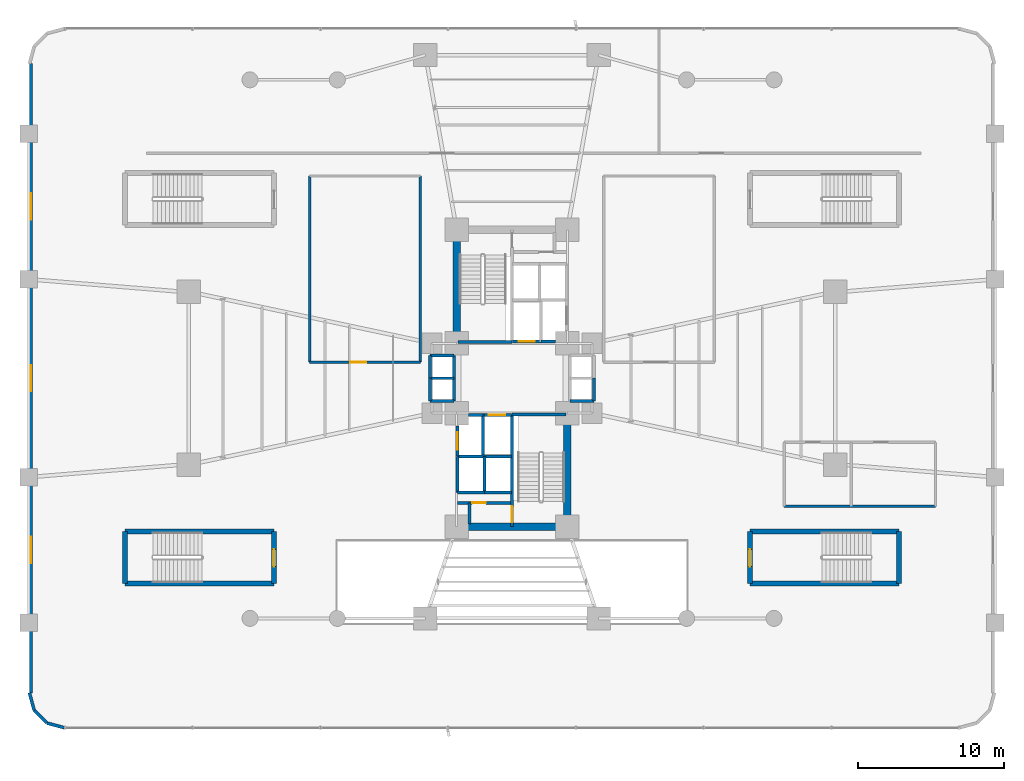
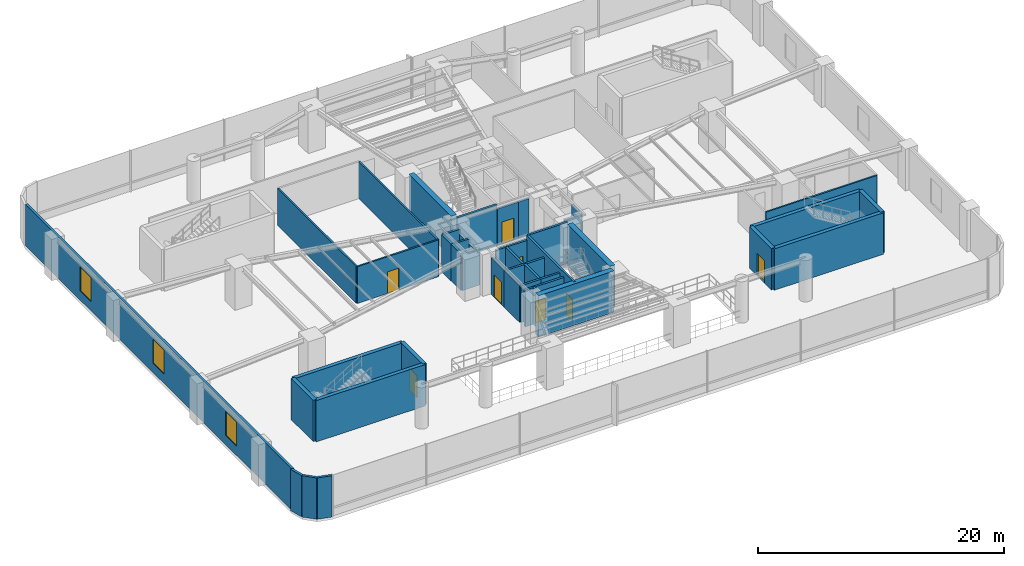
# One storey, part 16 of 23: 43 walls, 8 doors, 3 windows, 11 openings.
"""IFC4 building model written with IfcOpenShell, lengths in metres."""

import ifcopenshell
import ifcopenshell.guid

model = None  # the IFC model being written
_history = None  # IfcOwnerHistory: only IFC2X3 demands one
_inside = {}  # id of a spatial element -> (the spatial element, [elements in it])
_under = {}  # id of a project, library or spatial element -> (it, [spatial elements below it])
_declared = {}  # id of a project -> (the project, [libraries it declares])
_typed = {}  # id of a type object -> (the type object, [elements of that type])
_made_of = {}  # id of a material, layer set ... -> (it, [elements and type objects made of it])


def new_model(schema):
    """Start an empty IFC model of exactly this schema.

    Asked for "IFC4X3", IfcOpenShell would pick the latest addendum, in which some entities
    have other attributes; the version numbers below select the first issue.
    IFC2X3 requires an IfcOwnerHistory on every rooted entity: one is made here for all.
    """
    global model, _history
    if schema == "IFC4X3":
        model = ifcopenshell.file(schema_version=(4, 3, 0, 0))
    else:
        model = ifcopenshell.file(schema=schema)
    _inside.clear()
    _under.clear()
    _declared.clear()
    _typed.clear()
    _made_of.clear()
    _history = None
    if model.schema == "IFC2X3":
        org = make("IfcOrganization", Name="unknown")
        user = make(
            "IfcPersonAndOrganization",
            ThePerson=make("IfcPerson", FamilyName="unknown"),
            TheOrganization=org,
        )
        app = make(
            "IfcApplication",
            ApplicationDeveloper=org,
            Version="unknown",
            ApplicationFullName="unknown",
            ApplicationIdentifier="unknown",
        )
        _history = make(
            "IfcOwnerHistory",
            OwningUser=user,
            OwningApplication=app,
            ChangeAction="ADDED",
            CreationDate=0,
        )
    return model


def make(cls, **values):
    """One entity of the class cls with the attributes given. An attribute that is None is left unset."""
    return model.create_entity(
        cls, **{name: value for name, value in values.items() if value is not None}
    )


def rooted(cls, **values):
    """An entity with a GlobalId (a new one), such as an element, a storey or a relation."""
    return make(cls, GlobalId=ifcopenshell.guid.new(), OwnerHistory=_history, **values)


def si_unit(unit_type, name, prefix=None):
    """IfcSIUnit, for example si_unit("LENGTHUNIT", "METRE", prefix="MILLI")."""
    return make("IfcSIUnit", UnitType=unit_type, Prefix=prefix, Name=name)


def assignment(units):
    """IfcUnitAssignment: the units of a project."""
    return None if units is None else make("IfcUnitAssignment", Units=units)


def point(xyz):
    """IfcCartesianPoint."""
    return None if xyz is None else make("IfcCartesianPoint", Coordinates=xyz)


def direction(xyz):
    """IfcDirection."""
    return None if xyz is None else make("IfcDirection", DirectionRatios=xyz)


def frame(location, z_axis=None, x_axis=None):
    """IfcAxis2Placement3D, a coordinate frame: its origin and axes. An axis left out is left unset."""
    return make(
        "IfcAxis2Placement3D",
        Location=point(location),
        Axis=direction(z_axis),
        RefDirection=direction(x_axis),
    )


def frame_2d(location, x_axis=None):
    """IfcAxis2Placement2D, a coordinate frame in the plane: its origin and x axis."""
    return make(
        "IfcAxis2Placement2D", Location=point(location), RefDirection=direction(x_axis)
    )


def origin():
    """The frame at (0, 0, 0) with its axes left unset."""
    return frame((0.0, 0.0, 0.0))


def origin_2d():
    """The frame at (0, 0) in the plane with its x axis left unset."""
    return frame_2d((0.0, 0.0))


def place(relative_to, where):
    """IfcLocalPlacement: puts the frame where relative to a parent placement (None: the world)."""
    return make(
        "IfcLocalPlacement", PlacementRelTo=relative_to, RelativePlacement=where
    )


def context(
    kind, dimensions, precision=None, world=None, true_north=None, identifier=None
):
    """IfcGeometricRepresentationContext, for example the 3D "Model" context."""
    return make(
        "IfcGeometricRepresentationContext",
        ContextIdentifier=identifier,
        ContextType=kind,
        CoordinateSpaceDimension=dimensions,
        Precision=precision,
        WorldCoordinateSystem=world,
        TrueNorth=true_north,
    )


def subcontext(parent, identifier, kind, view, scale=None):
    """IfcGeometricRepresentationSubContext, for example "Body" below "Model"."""
    return make(
        "IfcGeometricRepresentationSubContext",
        ContextIdentifier=identifier,
        ContextType=kind,
        ParentContext=parent,
        TargetScale=scale,
        TargetView=view,
    )


def project(units=None, contexts=None):
    """IfcProject with its units and contexts."""
    return rooted(
        "IfcProject",
        Name="project",
        RepresentationContexts=contexts,
        UnitsInContext=assignment(units),
    )


def spatial(cls, under=None, at=None, **own):
    """A site, building, storey or space (cls), placed at a placement, below another one or the project."""
    s = rooted(cls, ObjectPlacement=at, **own)
    if under is not None:
        _under.setdefault(under.id(), (under, []))[1].append(s)
    return s


def profile(cls, at=None, kind="AREA", **sizes):
    """A parametric profile (cls). Its sizes go by their IFC names, for example OverallWidth=200.0."""
    return make(cls, ProfileType=kind, Position=at, **sizes)


def rectangle(**sizes):
    """IfcRectangleProfileDef."""
    return profile("IfcRectangleProfileDef", **sizes)


def extrude(swept, where, along, depth):
    """IfcExtrudedAreaSolid: the profile swept, set in the frame where, extruded along a direction by depth."""
    return make(
        "IfcExtrudedAreaSolid",
        SweptArea=swept,
        Position=where,
        ExtrudedDirection=direction(along),
        Depth=depth,
    )


def shape(context_of_items, identifier, shape_type, items):
    """IfcShapeRepresentation: the items that make up one representation, for example the "Body"."""
    return make(
        "IfcShapeRepresentation",
        ContextOfItems=context_of_items,
        RepresentationIdentifier=identifier,
        RepresentationType=shape_type,
        Items=items,
    )


def source(mapping_origin, context_of_items, identifier, shape_type, items):
    """IfcRepresentationMap: a shape defined once, which mapped items show again and again."""
    return make(
        "IfcRepresentationMap",
        MappingOrigin=mapping_origin,
        MappedRepresentation=shape(context_of_items, identifier, shape_type, items),
    )


def transform(
    local_origin,
    x_axis=None,
    y_axis=None,
    z_axis=None,
    scale=None,
    scale2=None,
    scale3=None,
    uniform=True,
):
    """IfcCartesianTransformationOperator3D, or its non-uniform kind. x_axis, y_axis, z_axis: its Axis1, 2, 3."""
    if uniform:
        return make(
            "IfcCartesianTransformationOperator3D",
            Axis1=direction(x_axis),
            Axis2=direction(y_axis),
            LocalOrigin=point(local_origin),
            Scale=scale,
            Axis3=direction(z_axis),
        )
    return make(
        "IfcCartesianTransformationOperator3DnonUniform",
        Axis1=direction(x_axis),
        Axis2=direction(y_axis),
        LocalOrigin=point(local_origin),
        Scale=scale,
        Axis3=direction(z_axis),
        Scale2=scale2,
        Scale3=scale3,
    )


def mapped(mapping_source, mapping_target):
    """IfcMappedItem: shows the shape of a source again, moved by a transform."""
    return make(
        "IfcMappedItem", MappingSource=mapping_source, MappingTarget=mapping_target
    )


def material(Name=None, Category=None):
    """IfcMaterial."""
    return make("IfcMaterial", Name=Name, Category=Category)


def layer(
    of_material, thickness, ventilated=None, Name=None, Category=None, Priority=None
):
    """IfcMaterialLayer: one layer of a wall or slab, of a material (None: an air gap)."""
    return make(
        "IfcMaterialLayer",
        Material=of_material,
        LayerThickness=thickness,
        IsVentilated=ventilated,
        Name=Name,
        Category=Category,
        Priority=Priority,
    )


def layer_set(layers, Name=None):
    """IfcMaterialLayerSet."""
    return make("IfcMaterialLayerSet", MaterialLayers=layers, LayerSetName=Name)


def made_of(thing, what):
    """Note that an element or type object is made of a material, layer set ...; save() writes the relation."""
    if what is not None:
        _made_of.setdefault(what.id(), (what, []))[1].append(thing)
    return thing


def type_object(cls, material=None, **own):
    """A type object (cls), such as IfcWallType, which elements share."""
    return made_of(rooted(cls, **own), material)


def element(
    cls,
    number,
    at=None,
    inside=None,
    cuts=None,
    type_object=None,
    material=None,
    context=None,
    identifier="Body",
    shape_type=None,
    held_by="IfcProductDefinitionShape",
    body=None,
    shapes=None,
    **own,
):
    """One element of the class cls, such as IfcWall. Its Tag is "e" and its number.

    at: its placement. inside: the storey or other place that contains it. cuts: it is an
    opening in that element (IfcRelVoidsElement). A single representation is given by context,
    identifier, shape_type and body (its items); several are given by shapes. held_by: the class
    of the entity that holds the representations. save() writes the other relations.
    """
    e = rooted(cls, Tag="e%d" % number, ObjectPlacement=at, **own)
    if body is not None:
        shapes = [shape(context, identifier, shape_type, body)]
    if shapes is not None:
        e.Representation = make(held_by, Representations=shapes)
    if inside is not None:
        _inside.setdefault(inside.id(), (inside, []))[1].append(e)
    if cuts is not None:
        rooted(
            "IfcRelVoidsElement", RelatingBuildingElement=cuts, RelatedOpeningElement=e
        )
    if type_object is not None:
        _typed.setdefault(type_object.id(), (type_object, []))[1].append(e)
    return made_of(e, material)


def fill(opening, filler):
    """IfcRelFillsElement: the door or window that sits in an opening."""
    return rooted(
        "IfcRelFillsElement",
        RelatingOpeningElement=opening,
        RelatedBuildingElement=filler,
    )


def aggregate(whole, parts):
    """IfcRelAggregates: a whole, such as a stair, and the parts it consists of."""
    return rooted("IfcRelAggregates", RelatingObject=whole, RelatedObjects=parts)


def save(model, path):
    """Write the relations noted so far, then the file.

    IfcRelAggregates (storeys below a building ...), IfcRelContainedInSpatialStructure (elements
    in a storey), IfcRelDefinesByType, IfcRelAssociatesMaterial and IfcRelDeclares: one each for
    every whole, place, type object, material and project.
    """
    for whole, parts in _under.values():
        aggregate(whole, parts)
    for where, things in _inside.values():
        rooted(
            "IfcRelContainedInSpatialStructure",
            RelatedElements=things,
            RelatingStructure=where,
        )
    for kind, things in _typed.values():
        rooted("IfcRelDefinesByType", RelatedObjects=things, RelatingType=kind)
    for what, things in _made_of.values():
        rooted("IfcRelAssociatesMaterial", RelatedObjects=things, RelatingMaterial=what)
    for by, libraries in _declared.values():
        rooted("IfcRelDeclares", RelatingContext=by, RelatedDefinitions=libraries)
    model.write(path)


model = new_model("IFC4")

# Units and contexts
model_context = context("Model", 3, precision=1e-05, world=origin(), true_north=direction((0.0, 1.0)))
body_context = subcontext(model_context, "Body", "Model", "MODEL_VIEW")
ifc_project = project(units=[si_unit("LENGTHUNIT", "METRE"), si_unit("AREAUNIT", "SQUARE_METRE"), si_unit("VOLUMEUNIT", "CUBIC_METRE"), si_unit("PLANEANGLEUNIT", "RADIAN"), si_unit("MASSUNIT", "GRAM", prefix="KILO")], contexts=[model_context])

# Site, building, storey
site_placement = place(None, origin())
site = spatial("IfcSite", under=ifc_project, at=site_placement, CompositionType="ELEMENT")
building_placement = place(site_placement, origin())
building = spatial("IfcBuilding", under=site, at=building_placement, Name="Sahyath Konkavel Grand Hotel", CompositionType="ELEMENT")
storey_placement = place(building_placement, frame((0.0, 0.0, 4.800048828125)))
storey = spatial("IfcBuildingStorey", under=building, at=storey_placement, Name="L01", CompositionType="ELEMENT", Elevation=4.800048828125)

# Walls
ifc_material_1 = material(Name="Concrete C40/50", Category="concrete")
ifc_layer_1 = layer(ifc_material_1, 0.35009765625)
ifc_layer_set_1 = layer_set([ifc_layer_1], Name="Concrete C40/50")
wall_type_1 = type_object("IfcWallType", Name="CWALL-350", PredefinedType="SHEAR", material=ifc_layer_set_1)
for number, where, z_axis, x_axis, name in (
    (1, (-26.60009765625, -10.52001953125, 0.0), (0.0, 0.0, 1.0), (1.0, 0.0, 0.0), "L01 Partition ST-P3-N"),
    (2, (-26.60009765625, -14.10009765625, 0.0), (0.0, 0.0, 1.0), (1.0, 0.0, 0.0), "L01 Partition ST-P3-S"),
):
    element("IfcWall", number, at=place(storey_placement, frame(where, z_axis=z_axis, x_axis=x_axis)), inside=storey, type_object=wall_type_1, Name=name, PredefinedType="SHEAR", context=body_context, shape_type="SweptSolid", body=[
        extrude(rectangle(XDim=10.25, YDim=0.35009765625, at=frame_2d((5.125, 0.0))), origin(), (0.0, 0.0, 1.0), 4.099853515625),
    ])
wall_1_placement = place(storey_placement, frame((-26.60009765625, -14.10009765625, 0.0), z_axis=(0.0, 0.0, 1.0), x_axis=(0.0, 1.0, 0.0)))
element("IfcWall", 3, at=wall_1_placement, inside=storey, type_object=wall_type_1, Name="L01 Partition ST-P3-W", PredefinedType="SHEAR", context=body_context, shape_type="SweptSolid", body=[
    extrude(rectangle(XDim=3.580078125, YDim=0.35009765625, at=frame_2d((1.7900390625, 0.0))), origin(), (0.0, 0.0, 1.0), 4.099853515625),
])

# Wall, opening, door
wall_2_placement = place(storey_placement, frame((-16.35009765625, -14.10009765625, 0.0), z_axis=(0.0, 0.0, 1.0), x_axis=(0.0, 1.0, 0.0)))
wall_2 = element("IfcWall", 4, at=wall_2_placement, inside=storey, type_object=wall_type_1, Name="L01 Partition ST-P3-E", PredefinedType="SHEAR", context=body_context, shape_type="SweptSolid", body=[
    extrude(rectangle(XDim=3.580078125, YDim=0.35009765625, at=frame_2d((1.7900390625, 0.0))), origin(), (0.0, 0.0, 1.0), 4.099853515625),
])
opening_1_placement = place(wall_2_placement, frame((1.14990234375, 0.0, 0.0)))
opening_1 = element("IfcOpeningElement", 5, at=opening_1_placement, cuts=wall_2, Name="Opening D-F12A", PredefinedType="OPENING", context=body_context, shape_type="SweptSolid", body=[
    extrude(rectangle(XDim=1.199951171875, YDim=2.199951171875, at=frame_2d((0.60009765625, 1.10009765625))), frame((0.0, 0.18505859375, 0.0), z_axis=(0.0, -1.0, 0.0), x_axis=(1.0, 0.0, 0.0)), (0.0, 0.0, 1.0), 0.3701171875),
])
ifc_material_2 = material(Name="Steel E350 Fire Door", Category="steel")
door_type_1 = type_object("IfcDoorType", Name="DR-FD120-1200", OperationType="NOTDEFINED", PredefinedType="DOOR", material=ifc_material_2)
shared_shape_1 = source(origin(), body_context, "Body", "SweptSolid", [
    extrude(rectangle(XDim=1.199951171875, YDim=0.050048828125, at=origin_2d()), origin(), (0.0, 0.0, 1.0), 2.199951171875),
])
door_1_placement = place(opening_1_placement, frame((0.60009765625, 0.0, 0.0)))
door_1 = element("IfcDoor", 6, at=door_1_placement, inside=storey, type_object=door_type_1, Name="L01 ST-P3 Fire Door", OperationType="SINGLE_SWING_LEFT", OverallHeight=2.199951171875, OverallWidth=1.199951171875, PredefinedType="DOOR", context=body_context, shape_type="MappedRepresentation", body=[
    mapped(shared_shape_1, transform((0.0, 0.0, 0.0), scale=1.0)),
])
fill(opening_1, door_1)

# Walls
for number, where, z_axis, x_axis, name in (
    (7, (16.35009765625, -10.52001953125, 0.0), (0.0, 0.0, 1.0), (1.0, 0.0, 0.0), "L01 Partition ST-P4-N"),
    (8, (16.35009765625, -14.10009765625, 0.0), (0.0, 0.0, 1.0), (1.0, 0.0, 0.0), "L01 Partition ST-P4-S"),
):
    element("IfcWall", number, at=place(storey_placement, frame(where, z_axis=z_axis, x_axis=x_axis)), inside=storey, type_object=wall_type_1, Name=name, PredefinedType="SHEAR", context=body_context, shape_type="SweptSolid", body=[
        extrude(rectangle(XDim=10.25, YDim=0.35009765625, at=frame_2d((5.125, 0.0))), origin(), (0.0, 0.0, 1.0), 4.099853515625),
    ])

# Wall, opening, door
wall_3_placement = place(storey_placement, frame((16.35009765625, -14.10009765625, 0.0), z_axis=(0.0, 0.0, 1.0), x_axis=(0.0, 1.0, 0.0)))
wall_3 = element("IfcWall", 9, at=wall_3_placement, inside=storey, type_object=wall_type_1, Name="L01 Partition ST-P4-W", PredefinedType="SHEAR", context=body_context, shape_type="SweptSolid", body=[
    extrude(rectangle(XDim=3.580078125, YDim=0.35009765625, at=frame_2d((1.7900390625, 0.0))), origin(), (0.0, 0.0, 1.0), 4.099853515625),
])
opening_2_placement = place(wall_3_placement, frame((1.14990234375, 0.0, 0.0)))
opening_2 = element("IfcOpeningElement", 10, at=opening_2_placement, cuts=wall_3, Name="Opening D-F12A", PredefinedType="OPENING", context=body_context, shape_type="SweptSolid", body=[
    extrude(rectangle(XDim=1.199951171875, YDim=2.199951171875, at=frame_2d((0.60009765625, 1.10009765625))), frame((0.0, 0.18505859375, 0.0), z_axis=(0.0, -1.0, 0.0), x_axis=(1.0, 0.0, 0.0)), (0.0, 0.0, 1.0), 0.3701171875),
])
door_2_placement = place(opening_2_placement, frame((0.60009765625, 0.0, 0.0)))
door_2 = element("IfcDoor", 11, at=door_2_placement, inside=storey, type_object=door_type_1, Name="L01 ST-P4 Fire Door", OperationType="SINGLE_SWING_RIGHT", OverallHeight=2.199951171875, OverallWidth=1.199951171875, PredefinedType="DOOR", context=body_context, shape_type="MappedRepresentation", body=[
    mapped(shared_shape_1, transform((0.0, 0.0, 0.0), scale=1.0)),
])
fill(opening_2, door_2)

# Walls
wall_4_placement = place(storey_placement, frame((26.60009765625, -14.10009765625, 0.0), z_axis=(0.0, 0.0, 1.0), x_axis=(0.0, 1.0, 0.0)))
element("IfcWall", 12, at=wall_4_placement, inside=storey, type_object=wall_type_1, Name="L01 Partition ST-P4-E", PredefinedType="SHEAR", context=body_context, shape_type="SweptSolid", body=[
    extrude(rectangle(XDim=3.580078125, YDim=0.35009765625, at=frame_2d((1.7900390625, 0.0))), origin(), (0.0, 0.0, 1.0), 4.099853515625),
])
ifc_material_3 = material(Name="Concrete C70/85", Category="concrete")
ifc_layer_2 = layer(ifc_material_3, 0.5)
ifc_layer_set_2 = layer_set([ifc_layer_2], Name="Concrete C70/85")
wall_type_2 = type_object("IfcWallType", Name="CWALL-500", PredefinedType="SHEAR", material=ifc_layer_set_2)
wall_5_placement = place(storey_placement, frame((-3.800048828125, 2.85009765625, 0.0), z_axis=(0.0, 0.0, 1.0), x_axis=(0.0, 1.0, 0.0)))
element("IfcWall", 13, at=wall_5_placement, inside=storey, type_object=wall_type_2, Name="L01 North Core Shear Wall W", PredefinedType="SHEAR", context=body_context, shape_type="SweptSolid", body=[
    extrude(rectangle(XDim=6.89990234375, YDim=0.5, at=frame_2d((3.449951171875, 0.0))), origin(), (0.0, 0.0, 1.0), 4.099853515625),
])
wall_6_placement = place(storey_placement, frame((-3.550048828125, -10.199951171875, 0.0), z_axis=(0.0, 0.0, 1.0), x_axis=(1.0, 0.0, 0.0)))
element("IfcWall", 14, at=wall_6_placement, inside=storey, type_object=wall_type_2, Name="L01 South Core Shear Wall S", PredefinedType="SHEAR", context=body_context, shape_type="SweptSolid", body=[
    extrude(rectangle(XDim=7.10009765625, YDim=0.5, at=frame_2d((3.550048828125, 0.0))), origin(), (0.0, 0.0, 1.0), 4.099853515625),
])
wall_7_placement = place(storey_placement, frame((3.800048828125, -9.75, 0.0), z_axis=(0.0, 0.0, 1.0), x_axis=(0.0, 1.0, 0.0)))
element("IfcWall", 15, at=wall_7_placement, inside=storey, type_object=wall_type_2, Name="L01 South Core Shear Wall E", PredefinedType="SHEAR", context=body_context, shape_type="SweptSolid", body=[
    extrude(rectangle(XDim=6.89990234375, YDim=0.5, at=frame_2d((3.449951171875, 0.0))), origin(), (0.0, 0.0, 1.0), 4.099853515625),
])
ifc_material_4 = material(Name="Warm Buff Sandstone Insulated Concrete C40/50", Category="masonry")
ifc_layer_3 = layer(ifc_material_4, 0.219970703125)
ifc_layer_set_3 = layer_set([ifc_layer_3], Name="Warm Buff Sandstone Insulated Concrete C40/50")
wall_type_3 = type_object("IfcWallType", Name="WLL-BALC-THRESH", PredefinedType="STANDARD", material=ifc_layer_set_3)
wall_8_placement = place(storey_placement, frame((-33.152099609375, -21.613037109375, 0.0), z_axis=(0.0, 0.0, 1.0), x_axis=(0.258824494443, -0.965924366126, 0.0)))
element("IfcWall", 16, at=wall_8_placement, inside=storey, type_object=wall_type_3, Name="L01 Rounded Podium Corner Sandstone Pier 12", PredefinedType="STANDARD", context=body_context, shape_type="SweptSolid", body=[
    extrude(rectangle(XDim=1.2421875, YDim=0.219970703125, at=frame_2d((0.62109375, 0.0))), origin(), (0.0, 0.0, 1.0), 4.099853515625),
])
wall_9_placement = place(storey_placement, frame((-32.83056640625, -22.81298828125, 0.0), z_axis=(0.0, 0.0, 1.0), x_axis=(0.707205024573, -0.707008524149, 0.0)))
element("IfcWall", 17, at=wall_9_placement, inside=storey, type_object=wall_type_3, Name="L01 Rounded Podium Corner Sandstone Pier 13", PredefinedType="STANDARD", context=body_context, shape_type="SweptSolid", body=[
    extrude(rectangle(XDim=1.242431640625, YDim=0.219970703125, at=frame_2d((0.62109375, 0.0))), origin(), (0.0, 0.0, 1.0), 4.099853515625),
])
wall_10_placement = place(storey_placement, frame((-31.951904296875, -23.69140625, 0.0), z_axis=(0.0, 0.0, 1.0), x_axis=(0.965924366126, -0.258824494443, 0.0)))
element("IfcWall", 18, at=wall_10_placement, inside=storey, type_object=wall_type_3, Name="L01 Rounded Podium Corner Sandstone Pier 14", PredefinedType="STANDARD", context=body_context, shape_type="SweptSolid", body=[
    extrude(rectangle(XDim=1.2421875, YDim=0.219970703125, at=frame_2d((0.62109375, 0.0))), origin(), (0.0, 0.0, 1.0), 4.099853515625),
])

# Wall, openings, windows
wall_11_placement = place(storey_placement, frame((-33.0419921875, 21.613037109375, 0.0), z_axis=(0.0, 0.0, 1.0), x_axis=(0.0, -1.0, 0.0)))
wall_11 = element("IfcWall", 19, at=wall_11_placement, inside=storey, type_object=wall_type_3, Name="L01 Sandstone Podium Facade Wall W", PredefinedType="STANDARD", context=body_context, shape_type="SweptSolid", body=[
    extrude(rectangle(XDim=43.22607421875, YDim=0.219970703125, at=frame_2d((21.613037109375, 0.0))), origin(), (0.0, 0.0, 1.0), 4.099853515625),
])
opening_3_placement = place(wall_11_placement, frame((32.512939453125, 0.0, 0.89990234375)))
opening_3 = element("IfcOpeningElement", 20, at=opening_3_placement, cuts=wall_11, Name="Opening W-PD1", PredefinedType="OPENING", context=body_context, shape_type="SweptSolid", body=[
    extrude(rectangle(XDim=1.800048828125, YDim=2.39990234375, at=frame_2d((0.89990234375, 1.199951171875))), frame((0.0, 0.1201171875, 0.0), z_axis=(0.0, -1.0, 0.0), x_axis=(1.0, 0.0, 0.0)), (0.0, 0.0, 1.0), 0.239990234375),
])
opening_4_placement = place(wall_11_placement, frame((20.712890625, 0.0, 0.89990234375)))
opening_4 = element("IfcOpeningElement", 21, at=opening_4_placement, cuts=wall_11, Name="Opening W-PD1", PredefinedType="OPENING", context=body_context, shape_type="SweptSolid", body=[
    extrude(rectangle(XDim=1.800048828125, YDim=2.39990234375, at=frame_2d((0.89990234375, 1.199951171875))), frame((0.0, 0.1201171875, 0.0), z_axis=(0.0, -1.0, 0.0), x_axis=(1.0, 0.0, 0.0)), (0.0, 0.0, 1.0), 0.239990234375),
])
opening_5_placement = place(wall_11_placement, frame((8.9130859375, 0.0, 0.89990234375)))
opening_5 = element("IfcOpeningElement", 22, at=opening_5_placement, cuts=wall_11, Name="Opening W-PD1", PredefinedType="OPENING", context=body_context, shape_type="SweptSolid", body=[
    extrude(rectangle(XDim=1.800048828125, YDim=2.39990234375, at=frame_2d((0.89990234375, 1.199951171875))), frame((0.0, 0.1201171875, 0.0), z_axis=(0.0, -1.0, 0.0), x_axis=(1.0, 0.0, 0.0)), (0.0, 0.0, 1.0), 0.239990234375),
])
ifc_material_5 = material(Name="Anodised Bronze Aluminium & Low-E Glazing", Category="aluminium")
window_type = type_object("IfcWindowType", Name="WIN-POD-1800", PartitioningType="SINGLE_PANEL", PredefinedType="WINDOW", material=ifc_material_5)
shared_shape_2 = source(origin(), body_context, "Body", "SweptSolid", [
    extrude(rectangle(XDim=1.800048828125, YDim=0.06005859375, at=origin_2d()), origin(), (0.0, 0.0, 1.0), 2.39990234375),
])
window_1_placement = place(opening_3_placement, frame((0.89990234375, 0.0, 0.0)))
window_1 = element("IfcWindow", 23, at=window_1_placement, inside=storey, type_object=window_type, Name="L01 Podium Window W-1", OverallHeight=2.39990234375, OverallWidth=1.800048828125, PartitioningType="SINGLE_PANEL", PredefinedType="WINDOW", context=body_context, shape_type="MappedRepresentation", body=[
    mapped(shared_shape_2, transform((0.0, 0.0, 0.0), scale=1.0)),
])
fill(opening_3, window_1)
window_2_placement = place(opening_4_placement, frame((0.89990234375, 0.0, 0.0)))
window_2 = element("IfcWindow", 24, at=window_2_placement, inside=storey, type_object=window_type, Name="L01 Podium Window W-2", OverallHeight=2.39990234375, OverallWidth=1.800048828125, PartitioningType="SINGLE_PANEL", PredefinedType="WINDOW", context=body_context, shape_type="MappedRepresentation", body=[
    mapped(shared_shape_2, transform((0.0, 0.0, 0.0), scale=1.0)),
])
fill(opening_4, window_2)
window_3_placement = place(opening_5_placement, frame((0.89990234375, 0.0, 0.0)))
window_3 = element("IfcWindow", 25, at=window_3_placement, inside=storey, type_object=window_type, Name="L01 Podium Window W-3", OverallHeight=2.39990234375, OverallWidth=1.800048828125, PartitioningType="SINGLE_PANEL", PredefinedType="WINDOW", context=body_context, shape_type="MappedRepresentation", body=[
    mapped(shared_shape_2, transform((0.0, 0.0, 0.0), scale=1.0)),
])
fill(opening_5, window_3)

# Wall
ifc_layer_4 = layer(ifc_material_1, 0.199951171875)
ifc_layer_set_4 = layer_set([ifc_layer_4], Name="Concrete C40/50")
wall_type_4 = type_object("IfcWallType", Name="WLL-CORE-200", PredefinedType="SOLIDWALL", material=ifc_layer_set_4)
wall_12_placement = place(storey_placement, frame((-3.719970703125, 2.5, 0.0), z_axis=(0.0, 0.0, 1.0), x_axis=(1.0, 0.0, 0.0)))
element("IfcWall", 26, at=wall_12_placement, inside=storey, type_object=wall_type_4, Name="L01 Stair ST-1 Shaft Wall S", PredefinedType="SOLIDWALL", context=body_context, shape_type="SweptSolid", body=[
    extrude(rectangle(XDim=3.719970703125, YDim=0.199951171875, at=frame_2d((1.85986328125, 0.0))), origin(), (0.0, 0.0, 1.0), 4.099853515625),
])

# Wall, opening, door
wall_13_placement = place(storey_placement, frame((0.0, -10.179931640625, 0.0), z_axis=(0.0, 0.0, 1.0), x_axis=(0.0, 1.0, 0.0)))
wall_13 = element("IfcWall", 27, at=wall_13_placement, inside=storey, type_object=wall_type_4, Name="L01 Stair ST-2 Shaft Wall W", PredefinedType="SOLIDWALL", context=body_context, shape_type="SweptSolid", body=[
    extrude(rectangle(XDim=7.679931640625, YDim=0.199951171875, at=frame_2d((3.83984375, 0.0))), origin(), (0.0, 0.0, 1.0), 4.099853515625),
])
opening_6_placement = place(wall_13_placement, frame((0.280029296875, 0.0, 0.0)))
opening_6 = element("IfcOpeningElement", 28, at=opening_6_placement, cuts=wall_13, Name="Opening D-F12B", PredefinedType="OPENING", context=body_context, shape_type="SweptSolid", body=[
    extrude(rectangle(XDim=1.10009765625, YDim=2.14990234375, at=frame_2d((0.550048828125, 1.074951171875))), frame((0.0, 0.10986328125, 0.0), z_axis=(0.0, -1.0, 0.0), x_axis=(1.0, 0.0, 0.0)), (0.0, 0.0, 1.0), 0.219970703125),
])
ifc_material_6 = material(Name="Steel E350 Smokeproof Fire Door", Category="steel")
door_type_2 = type_object("IfcDoorType", Name="DR-FD120-1100", OperationType="NOTDEFINED", PredefinedType="DOOR", material=ifc_material_6)
shared_shape_3 = source(origin(), body_context, "Body", "SweptSolid", [
    extrude(rectangle(XDim=1.10009765625, YDim=0.050048828125, at=origin_2d()), origin(), (0.0, 0.0, 1.0), 2.14990234375),
])
door_3_placement = place(opening_6_placement, frame((0.550048828125, 0.0, 0.0)))
door_3 = element("IfcDoor", 29, at=door_3_placement, inside=storey, type_object=door_type_2, Name="L01 Stair ST-2 Fire Door", OperationType="SINGLE_SWING_LEFT", OverallHeight=2.14990234375, OverallWidth=1.10009765625, PredefinedType="DOOR", context=body_context, shape_type="MappedRepresentation", body=[
    mapped(shared_shape_3, transform((0.0, 0.0, 0.0), scale=1.0)),
])
fill(opening_6, door_3)

# Wall
wall_14_placement = place(storey_placement, frame((0.0, -2.5, 0.0), z_axis=(0.0, 0.0, 1.0), x_axis=(1.0, 0.0, 0.0)))
element("IfcWall", 30, at=wall_14_placement, inside=storey, type_object=wall_type_4, Name="L01 Stair ST-2 Shaft Wall N", PredefinedType="SOLIDWALL", context=body_context, shape_type="SweptSolid", body=[
    extrude(rectangle(XDim=3.719970703125, YDim=0.199951171875, at=frame_2d((1.85986328125, 0.0))), origin(), (0.0, 0.0, 1.0), 4.099853515625),
])

# Wall, opening, door
wall_15_placement = place(storey_placement, frame((0.050048828125, 2.52001953125, 0.0), z_axis=(0.0, 0.0, 1.0), x_axis=(1.0, 0.0, 0.0)))
wall_15 = element("IfcWall", 31, at=wall_15_placement, inside=storey, type_object=wall_type_4, Name="L01 Partition SH-FFL1-S", PredefinedType="SOLIDWALL", context=body_context, shape_type="SweptSolid", body=[
    extrude(rectangle(XDim=1.949951171875, YDim=0.199951171875, at=frame_2d((0.97509765625, 0.0))), origin(), (0.0, 0.0, 1.0), 3.64990234375),
])
opening_7_placement = place(wall_15_placement, frame((0.419921875, 0.0, 0.0)))
opening_7 = element("IfcOpeningElement", 32, at=opening_7_placement, cuts=wall_15, Name="Opening LD-11", PredefinedType="OPENING", context=body_context, shape_type="SweptSolid", body=[
    extrude(rectangle(XDim=1.10009765625, YDim=2.199951171875, at=frame_2d((0.550048828125, 1.10009765625))), frame((0.0, 0.10986328125, 0.0), z_axis=(0.0, -1.0, 0.0), x_axis=(1.0, 0.0, 0.0)), (0.0, 0.0, 1.0), 0.219970703125),
])
ifc_material_7 = material(Name="Bronze Lift Landing Door 1100")
door_type_3 = type_object("IfcDoorType", Name="DR-LIFT-1100", OperationType="DOUBLE_DOOR_SLIDING", PredefinedType="DOOR", material=ifc_material_7)
shared_shape_4 = source(origin(), body_context, "Body", "SweptSolid", [
    extrude(rectangle(XDim=1.10009765625, YDim=0.050048828125, at=origin_2d()), origin(), (0.0, 0.0, 1.0), 2.199951171875),
])
door_4_placement = place(opening_7_placement, frame((0.550048828125, 0.0, 0.0)))
door_4 = element("IfcDoor", 33, at=door_4_placement, inside=storey, type_object=door_type_3, Name="L01 Lift FFL-1 Landing Door", OperationType="DOUBLE_DOOR_SLIDING", OverallHeight=2.199951171875, OverallWidth=1.10009765625, PredefinedType="DOOR", context=body_context, shape_type="MappedRepresentation", body=[
    mapped(shared_shape_4, transform((0.0, 0.0, 0.0), scale=1.0)),
])
fill(opening_7, door_4)

# Wall
wall_16_placement = place(storey_placement, frame((-2.0, -5.280029296875, 0.0), z_axis=(0.0, 0.0, 1.0), x_axis=(0.0, 1.0, 0.0)))
element("IfcWall", 34, at=wall_16_placement, inside=storey, type_object=wall_type_4, Name="L01 Partition SH-FFL2-W", PredefinedType="SOLIDWALL", context=body_context, shape_type="SweptSolid", body=[
    extrude(rectangle(XDim=2.780029296875, YDim=0.199951171875, at=frame_2d((1.39013671875, 0.0))), origin(), (0.0, 0.0, 1.0), 3.64990234375),
])

# Wall, opening, door
wall_17_placement = place(storey_placement, frame((-2.0, -2.52001953125, 0.0), z_axis=(0.0, 0.0, 1.0), x_axis=(1.0, 0.0, 0.0)))
wall_17 = element("IfcWall", 35, at=wall_17_placement, inside=storey, type_object=wall_type_4, Name="L01 Partition SH-FFL2-N", PredefinedType="SOLIDWALL", context=body_context, shape_type="SweptSolid", body=[
    extrude(rectangle(XDim=1.949951171875, YDim=0.199951171875, at=frame_2d((0.97509765625, 0.0))), origin(), (0.0, 0.0, 1.0), 3.64990234375),
])
opening_8_placement = place(wall_17_placement, frame((0.419921875, 0.0, 0.0)))
opening_8 = element("IfcOpeningElement", 36, at=opening_8_placement, cuts=wall_17, Name="Opening LD-11", PredefinedType="OPENING", context=body_context, shape_type="SweptSolid", body=[
    extrude(rectangle(XDim=1.10009765625, YDim=2.199951171875, at=frame_2d((0.550048828125, 1.10009765625))), frame((0.0, 0.10986328125, 0.0), z_axis=(0.0, -1.0, 0.0), x_axis=(1.0, 0.0, 0.0)), (0.0, 0.0, 1.0), 0.219970703125),
])
door_5_placement = place(opening_8_placement, frame((0.550048828125, 0.0, 0.0)))
door_5 = element("IfcDoor", 37, at=door_5_placement, inside=storey, type_object=door_type_3, Name="L01 Lift FFL-2 Landing Door", OperationType="DOUBLE_DOOR_SLIDING", OverallHeight=2.199951171875, OverallWidth=1.10009765625, PredefinedType="DOOR", context=body_context, shape_type="MappedRepresentation", body=[
    mapped(shared_shape_4, transform((0.0, 0.0, 0.0), scale=1.0)),
])
fill(opening_8, door_5)

# Walls
for number, where, z_axis, x_axis, name in (
    (38, (2.0, 2.52001953125, 0.0), (0.0, 0.0, 1.0), (1.0, 0.0, 0.0), "L01 Partition SH-SVL1-S"),
    (39, (-3.0, -2.52001953125, 0.0), (0.0, 0.0, 1.0), (1.0, 0.0, 0.0), "L01 Partition SH-SVL2-N"),
):
    element("IfcWall", number, at=place(storey_placement, frame(where, z_axis=z_axis, x_axis=x_axis)), inside=storey, type_object=wall_type_4, Name=name, PredefinedType="SOLIDWALL", context=body_context, shape_type="SweptSolid", body=[
        extrude(rectangle(XDim=1.0, YDim=0.199951171875, at=frame_2d((0.5, 0.0))), origin(), (0.0, 0.0, 1.0), 3.64990234375),
    ])

# Wall, opening, door
wall_18_placement = place(storey_placement, frame((-3.739990234375, -5.360107421875, 0.0), z_axis=(0.0, 0.0, 1.0), x_axis=(0.0, 1.0, 0.0)))
wall_18 = element("IfcWall", 40, at=wall_18_placement, inside=storey, type_object=wall_type_4, Name="L01 Partition SH-SVL2-W", PredefinedType="SOLIDWALL", context=body_context, shape_type="SweptSolid", body=[
    extrude(rectangle(XDim=2.080078125, YDim=0.199951171875, at=frame_2d((1.0400390625, 0.0))), origin(), (0.0, 0.0, 1.0), 3.64990234375),
])
opening_9_placement = place(wall_18_placement, frame((0.43994140625, 0.0, 0.0)))
opening_9 = element("IfcOpeningElement", 41, at=opening_9_placement, cuts=wall_18, Name="Opening LD-12", PredefinedType="OPENING", context=body_context, shape_type="SweptSolid", body=[
    extrude(rectangle(XDim=1.199951171875, YDim=2.199951171875, at=frame_2d((0.60009765625, 1.10009765625))), frame((0.0, 0.10986328125, 0.0), z_axis=(0.0, -1.0, 0.0), x_axis=(1.0, 0.0, 0.0)), (0.0, 0.0, 1.0), 0.219970703125),
])
ifc_material_8 = material(Name="Stainless Steel Lift Landing Door 1200", Category="steel")
door_type_4 = type_object("IfcDoorType", Name="DR-LIFT-1200", OperationType="DOUBLE_DOOR_SLIDING", PredefinedType="DOOR", material=ifc_material_8)
door_6_placement = place(opening_9_placement, frame((0.60009765625, 0.0, 0.0)))
door_6 = element("IfcDoor", 42, at=door_6_placement, inside=storey, type_object=door_type_4, Name="L01 Service Lift SVL-2 Landing Door", OperationType="DOUBLE_DOOR_SLIDING", OverallHeight=2.199951171875, OverallWidth=1.199951171875, PredefinedType="DOOR", context=body_context, shape_type="MappedRepresentation", body=[
    mapped(shared_shape_1, transform((0.0, 0.0, 0.0), scale=1.0)),
])
fill(opening_9, door_6)

# Walls
wall_19_placement = place(storey_placement, frame((-3.739990234375, -7.860107421875, 0.0), z_axis=(0.0, 0.0, 1.0), x_axis=(0.0, 1.0, 0.0)))
element("IfcWall", 43, at=wall_19_placement, inside=storey, type_object=wall_type_4, Name="L01 Partition SH-PL3-W", PredefinedType="SOLIDWALL", context=body_context, shape_type="SweptSolid", body=[
    extrude(rectangle(XDim=2.480224609375, YDim=0.199951171875, at=frame_2d((1.240234375, 0.0))), origin(), (0.0, 0.0, 1.0), 3.64990234375),
])
wall_20_placement = place(storey_placement, frame((-3.739990234375, -7.860107421875, 0.0), z_axis=(0.0, 0.0, 1.0), x_axis=(1.0, 0.0, 0.0)))
element("IfcWall", 44, at=wall_20_placement, inside=storey, type_object=wall_type_4, Name="L01 Partition SH-PL3-S", PredefinedType="SOLIDWALL", context=body_context, shape_type="SweptSolid", body=[
    extrude(rectangle(XDim=1.840087890625, YDim=0.199951171875, at=frame_2d((0.919921875, 0.0))), origin(), (0.0, 0.0, 1.0), 3.64990234375),
])
wall_21_placement = place(storey_placement, frame((-3.739990234375, -5.3798828125, 0.0), z_axis=(0.0, 0.0, 1.0), x_axis=(1.0, 0.0, 0.0)))
element("IfcWall", 45, at=wall_21_placement, inside=storey, type_object=wall_type_4, Name="L01 Partition SH-PL34-N", PredefinedType="SOLIDWALL", context=body_context, shape_type="SweptSolid", body=[
    extrude(rectangle(XDim=3.68994140625, YDim=0.199951171875, at=frame_2d((1.844970703125, 0.0))), origin(), (0.0, 0.0, 1.0), 3.64990234375),
])
wall_22_placement = place(storey_placement, frame((-1.89990234375, -7.860107421875, 0.0), z_axis=(0.0, 0.0, 1.0), x_axis=(0.0, 1.0, 0.0)))
element("IfcWall", 46, at=wall_22_placement, inside=storey, type_object=wall_type_4, Name="L01 Partition SH-PL34-M", PredefinedType="SOLIDWALL", context=body_context, shape_type="SweptSolid", body=[
    extrude(rectangle(XDim=2.480224609375, YDim=0.199951171875, at=frame_2d((1.240234375, 0.0))), origin(), (0.0, 0.0, 1.0), 3.64990234375),
])
wall_23_placement = place(storey_placement, frame((-1.89990234375, -7.860107421875, 0.0), z_axis=(0.0, 0.0, 1.0), x_axis=(1.0, 0.0, 0.0)))
element("IfcWall", 47, at=wall_23_placement, inside=storey, type_object=wall_type_4, Name="L01 Partition SH-PL4-S", PredefinedType="SOLIDWALL", context=body_context, shape_type="SweptSolid", body=[
    extrude(rectangle(XDim=1.849853515625, YDim=0.199951171875, at=frame_2d((0.9248046875, 0.0))), origin(), (0.0, 0.0, 1.0), 3.64990234375),
])
wall_24_placement = place(storey_placement, frame((3.97998046875, -1.56005859375, 0.0), z_axis=(0.0, 0.0, 1.0), x_axis=(1.0, 0.0, 0.0)))
element("IfcWall", 48, at=wall_24_placement, inside=storey, type_object=wall_type_4, Name="L01 Partition SH-PL56-S", PredefinedType="SOLIDWALL", context=body_context, shape_type="SweptSolid", body=[
    extrude(rectangle(XDim=1.64013671875, YDim=0.199951171875, at=frame_2d((0.820068359375, 0.0))), origin(), (0.0, 0.0, 1.0), 3.64990234375),
])
wall_25_placement = place(storey_placement, frame((5.6201171875, -1.56005859375, 0.0), z_axis=(0.0, 0.0, 1.0), x_axis=(0.0, 1.0, 0.0)))
element("IfcWall", 49, at=wall_25_placement, inside=storey, type_object=wall_type_4, Name="L01 Partition SH-PL6-E", PredefinedType="SOLIDWALL", context=body_context, shape_type="SweptSolid", body=[
    extrude(rectangle(XDim=1.56005859375, YDim=0.199951171875, at=frame_2d((0.780029296875, 0.0))), origin(), (0.0, 0.0, 1.0), 3.64990234375),
])
wall_26_placement = place(storey_placement, frame((-3.97998046875, -1.56005859375, 0.0), z_axis=(0.0, 0.0, 1.0), x_axis=(0.0, 1.0, 0.0)))
element("IfcWall", 50, at=wall_26_placement, inside=storey, type_object=wall_type_4, Name="L01 Partition SH-SL12-E", PredefinedType="SOLIDWALL", context=body_context, shape_type="SweptSolid", body=[
    extrude(rectangle(XDim=3.1201171875, YDim=0.199951171875, at=frame_2d((1.56005859375, 0.0))), origin(), (0.0, 0.0, 1.0), 3.169921875),
])
for number, where, z_axis, x_axis, name in (
    (51, (-5.6201171875, 1.56005859375, 0.0), (0.0, 0.0, 1.0), (1.0, 0.0, 0.0), "L01 Partition SH-SL12-N"),
    (52, (-5.6201171875, -1.56005859375, 0.0), (0.0, 0.0, 1.0), (1.0, 0.0, 0.0), "L01 Partition SH-SL12-S"),
    (53, (-5.6201171875, 0.0, 0.0), (0.0, 0.0, 1.0), (1.0, 0.0, 0.0), "L01 Partition SH-SL12-M"),
):
    element("IfcWall", number, at=place(storey_placement, frame(where, z_axis=z_axis, x_axis=x_axis)), inside=storey, type_object=wall_type_4, Name=name, PredefinedType="SOLIDWALL", context=body_context, shape_type="SweptSolid", body=[
        extrude(rectangle(XDim=1.64013671875, YDim=0.199951171875, at=frame_2d((0.820068359375, 0.0))), origin(), (0.0, 0.0, 1.0), 3.64990234375),
    ])
for number, where, z_axis, x_axis, name in (
    (54, (-5.6201171875, 0.0, 0.0), (0.0, 0.0, 1.0), (0.0, 1.0, 0.0), "L01 Partition SH-SL1-W"),
    (55, (-5.6201171875, -1.56005859375, 0.0), (0.0, 0.0, 1.0), (0.0, 1.0, 0.0), "L01 Partition SH-SL2-W"),
):
    element("IfcWall", number, at=place(storey_placement, frame(where, z_axis=z_axis, x_axis=x_axis)), inside=storey, type_object=wall_type_4, Name=name, PredefinedType="SOLIDWALL", context=body_context, shape_type="SweptSolid", body=[
        extrude(rectangle(XDim=1.56005859375, YDim=0.199951171875, at=frame_2d((0.780029296875, 0.0))), origin(), (0.0, 0.0, 1.0), 3.64990234375),
    ])

# Wall, opening, door
wall_27_placement = place(storey_placement, frame((-3.739990234375, -8.56005859375, 0.0), z_axis=(0.0, 0.0, 1.0), x_axis=(1.0, 0.0, 0.0)))
wall_27 = element("IfcWall", 56, at=wall_27_placement, inside=storey, type_object=wall_type_4, Name="L01 South FF Lobby Separation Wall", PredefinedType="SOLIDWALL", context=body_context, shape_type="SweptSolid", body=[
    extrude(rectangle(XDim=3.619873046875, YDim=0.199951171875, at=frame_2d((1.81005859375, 0.0))), origin(), (0.0, 0.0, 1.0), 3.64990234375),
])
opening_10_placement = place(wall_27_placement, frame((1.0, 0.0, 0.0)))
opening_10 = element("IfcOpeningElement", 57, at=opening_10_placement, cuts=wall_27, Name="Opening D-F12C", PredefinedType="OPENING", context=body_context, shape_type="SweptSolid", body=[
    extrude(rectangle(XDim=0.949951171875, YDim=2.14990234375, at=frame_2d((0.47509765625, 1.074951171875))), frame((0.0, 0.10986328125, 0.0), z_axis=(0.0, -1.0, 0.0), x_axis=(1.0, 0.0, 0.0)), (0.0, 0.0, 1.0), 0.219970703125),
])
ifc_material_9 = material(Name="Steel E350 Plant Fire Door", Category="steel")
door_type_5 = type_object("IfcDoorType", Name="DR-FD120-950", OperationType="NOTDEFINED", PredefinedType="DOOR", material=ifc_material_9)
shared_shape_5 = source(origin(), body_context, "Body", "SweptSolid", [
    extrude(rectangle(XDim=0.949951171875, YDim=0.050048828125, at=origin_2d()), origin(), (0.0, 0.0, 1.0), 2.14990234375),
])
door_7_placement = place(opening_10_placement, frame((0.47509765625, 0.0, 0.0)))
door_7 = element("IfcDoor", 58, at=door_7_placement, inside=storey, type_object=door_type_5, Name="L01 South Firefighting Lobby Door", OperationType="SINGLE_SWING_RIGHT", OverallHeight=2.14990234375, OverallWidth=0.949951171875, PredefinedType="DOOR", context=body_context, shape_type="MappedRepresentation", body=[
    mapped(shared_shape_5, transform((0.0, 0.0, 0.0), scale=1.0)),
])
fill(opening_10, door_7)

# Wall
wall_28_placement = place(storey_placement, frame((-2.919921875, -10.0, 0.0), z_axis=(0.0, 0.0, 1.0), x_axis=(0.0, 1.0, 0.0)))
element("IfcWall", 59, at=wall_28_placement, inside=storey, type_object=wall_type_4, Name="L01 Partition SFF-W2", PredefinedType="SOLIDWALL", context=body_context, shape_type="SweptSolid", body=[
    extrude(rectangle(XDim=1.43994140625, YDim=0.199951171875, at=frame_2d((0.719970703125, 0.0))), origin(), (0.0, 0.0, 1.0), 3.64990234375),
])

# Wall, opening, door
ifc_material_10 = material(Name="Fire-Rated Gypsum Plasterboard Partition")
ifc_layer_5 = layer(ifc_material_10, 0.14990234375)
ifc_layer_set_5 = layer_set([ifc_layer_5], Name="Fire-Rated Gypsum Plasterboard Partition")
wall_type_5 = type_object("IfcWallType", Name="WLL-PART-150", PredefinedType="PARTITIONING", material=ifc_layer_set_5)
wall_29_placement = place(storey_placement, frame((-13.89990234375, 1.10009765625, 0.0), z_axis=(0.0, 0.0, 1.0), x_axis=(1.0, 0.0, 0.0)))
wall_29 = element("IfcWall", 60, at=wall_29_placement, inside=storey, type_object=wall_type_5, Name="L01 Partition L01-KIT-S", PredefinedType="PARTITIONING", context=body_context, shape_type="SweptSolid", body=[
    extrude(rectangle(XDim=7.599853515625, YDim=0.14990234375, at=frame_2d((3.7998046875, 0.0))), origin(), (0.0, 0.0, 1.0), 3.64990234375),
])
opening_11_placement = place(wall_29_placement, frame((2.800048828125, 0.0, 0.0)))
opening_11 = element("IfcOpeningElement", 61, at=opening_11_placement, cuts=wall_29, Name="Opening D-F06A", PredefinedType="OPENING", context=body_context, shape_type="SweptSolid", body=[
    extrude(rectangle(XDim=1.10009765625, YDim=2.14990234375, at=frame_2d((0.550048828125, 1.074951171875))), frame((0.0, 0.0849609375, 0.0), z_axis=(0.0, -1.0, 0.0), x_axis=(1.0, 0.0, 0.0)), (0.0, 0.0, 1.0), 0.169921875),
])
ifc_material_11 = material(Name="Timber Fire-Rated Service Door", Category="wood")
door_type_6 = type_object("IfcDoorType", Name="DR-FD60-1100", OperationType="NOTDEFINED", PredefinedType="DOOR", material=ifc_material_11)
door_8_placement = place(opening_11_placement, frame((0.550048828125, 0.0, 0.0)))
door_8 = element("IfcDoor", 62, at=door_8_placement, inside=storey, type_object=door_type_6, Name="L01 Door L01-KIT-D", OperationType="SINGLE_SWING_LEFT", OverallHeight=2.14990234375, OverallWidth=1.10009765625, PredefinedType="DOOR", context=body_context, shape_type="MappedRepresentation", body=[
    mapped(shared_shape_3, transform((0.0, 0.0, 0.0), scale=1.0)),
])
fill(opening_11, door_8)

# Walls
for number, where, z_axis, x_axis, name in (
    (63, (-13.89990234375, 1.10009765625, 0.0), (0.0, 0.0, 1.0), (0.0, 1.0, 0.0), "L01 Partition L01-KIT-W"),
    (64, (-6.300048828125, 1.10009765625, 0.0), (0.0, 0.0, 1.0), (0.0, 1.0, 0.0), "L01 Partition L01-KIT-E"),
):
    element("IfcWall", number, at=place(storey_placement, frame(where, z_axis=z_axis, x_axis=x_axis)), inside=storey, type_object=wall_type_5, Name=name, PredefinedType="PARTITIONING", context=body_context, shape_type="SweptSolid", body=[
        extrude(rectangle(XDim=12.7998046875, YDim=0.14990234375, at=frame_2d((6.39990234375, 0.0))), origin(), (0.0, 0.0, 1.0), 3.64990234375),
    ])
wall_30_placement = place(storey_placement, frame((18.699951171875, -8.800048828125, 0.0), z_axis=(0.0, 0.0, 1.0), x_axis=(1.0, 0.0, 0.0)))
element("IfcWall", 65, at=wall_30_placement, inside=storey, type_object=wall_type_5, Name="L01 Partition L01-WC-S", PredefinedType="PARTITIONING", context=body_context, shape_type="SweptSolid", body=[
    extrude(rectangle(XDim=10.400146484375, YDim=0.14990234375, at=frame_2d((5.2001953125, 0.0))), origin(), (0.0, 0.0, 1.0), 3.64990234375),
])

save(model, "model.ifc")
